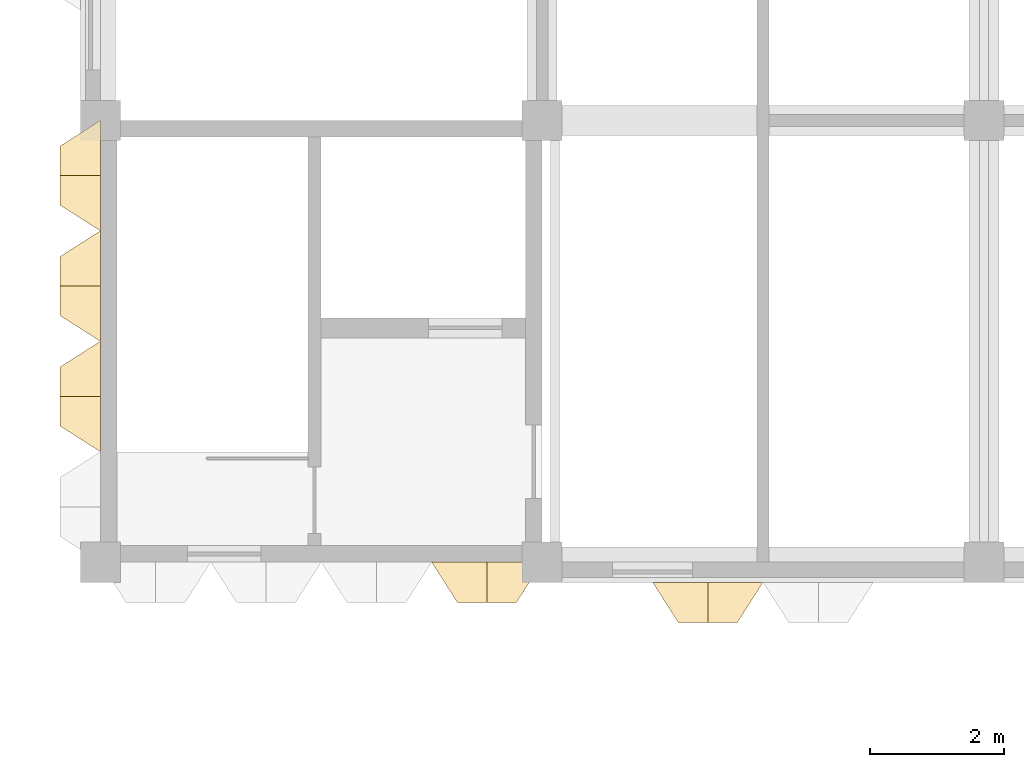
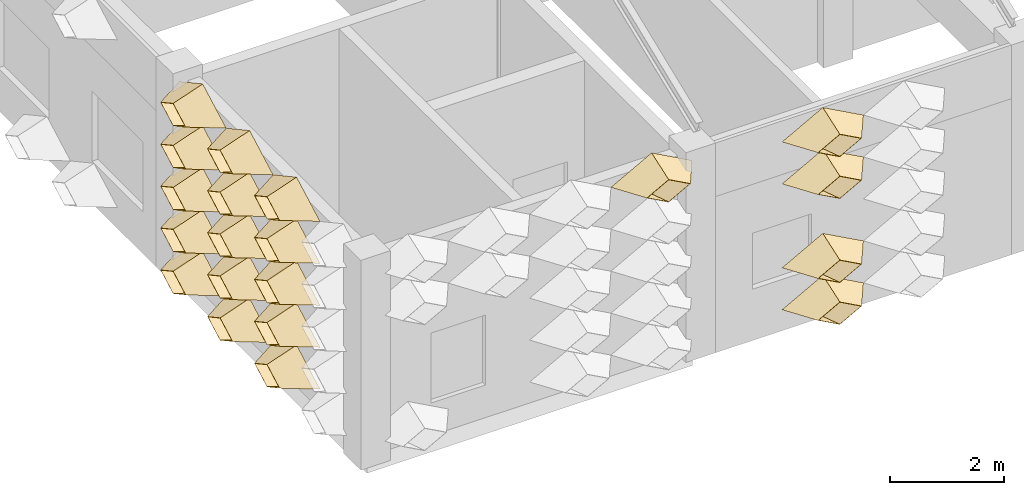
# One storey, part 70 of 102: 20 coverings.
"""IFC4 building model written with IfcOpenShell, lengths in metres."""

import ifcopenshell
import ifcopenshell.guid

model = None  # the IFC model being written
_history = None  # IfcOwnerHistory: only IFC2X3 demands one
_inside = {}  # id of a spatial element -> (the spatial element, [elements in it])
_under = {}  # id of a project, library or spatial element -> (it, [spatial elements below it])
_declared = {}  # id of a project -> (the project, [libraries it declares])
_typed = {}  # id of a type object -> (the type object, [elements of that type])
_made_of = {}  # id of a material, layer set ... -> (it, [elements and type objects made of it])


def new_model(schema):
    """Start an empty IFC model of exactly this schema.

    Asked for "IFC4X3", IfcOpenShell would pick the latest addendum, in which some entities
    have other attributes; the version numbers below select the first issue.
    IFC2X3 requires an IfcOwnerHistory on every rooted entity: one is made here for all.
    """
    global model, _history
    if schema == "IFC4X3":
        model = ifcopenshell.file(schema_version=(4, 3, 0, 0))
    else:
        model = ifcopenshell.file(schema=schema)
    _inside.clear()
    _under.clear()
    _declared.clear()
    _typed.clear()
    _made_of.clear()
    _history = None
    if model.schema == "IFC2X3":
        org = make("IfcOrganization", Name="unknown")
        user = make(
            "IfcPersonAndOrganization",
            ThePerson=make("IfcPerson", FamilyName="unknown"),
            TheOrganization=org,
        )
        app = make(
            "IfcApplication",
            ApplicationDeveloper=org,
            Version="unknown",
            ApplicationFullName="unknown",
            ApplicationIdentifier="unknown",
        )
        _history = make(
            "IfcOwnerHistory",
            OwningUser=user,
            OwningApplication=app,
            ChangeAction="ADDED",
            CreationDate=0,
        )
    return model


def make(cls, **values):
    """One entity of the class cls with the attributes given. An attribute that is None is left unset."""
    return model.create_entity(
        cls, **{name: value for name, value in values.items() if value is not None}
    )


def entity(cls, *values):
    """Any entity or typed value of the class cls, its attributes in the order of the schema. None: left unset."""
    e = model.create_entity(cls)
    for i, value in enumerate(values):
        if value is not None:
            e[i] = value
    return e


def rooted(cls, **values):
    """An entity with a GlobalId (a new one), such as an element, a storey or a relation."""
    return make(cls, GlobalId=ifcopenshell.guid.new(), OwnerHistory=_history, **values)


def si_unit(unit_type, name, prefix=None):
    """IfcSIUnit, for example si_unit("LENGTHUNIT", "METRE", prefix="MILLI")."""
    return make("IfcSIUnit", UnitType=unit_type, Prefix=prefix, Name=name)


def assignment(units):
    """IfcUnitAssignment: the units of a project."""
    return None if units is None else make("IfcUnitAssignment", Units=units)


def point(xyz):
    """IfcCartesianPoint."""
    return None if xyz is None else make("IfcCartesianPoint", Coordinates=xyz)


def direction(xyz):
    """IfcDirection."""
    return None if xyz is None else make("IfcDirection", DirectionRatios=xyz)


def frame(location, z_axis=None, x_axis=None):
    """IfcAxis2Placement3D, a coordinate frame: its origin and axes. An axis left out is left unset."""
    return make(
        "IfcAxis2Placement3D",
        Location=point(location),
        Axis=direction(z_axis),
        RefDirection=direction(x_axis),
    )


def origin():
    """The frame at (0, 0, 0) with its axes left unset."""
    return frame((0.0, 0.0, 0.0))


def place(relative_to, where):
    """IfcLocalPlacement: puts the frame where relative to a parent placement (None: the world)."""
    return make(
        "IfcLocalPlacement", PlacementRelTo=relative_to, RelativePlacement=where
    )


def context(
    kind, dimensions, precision=None, world=None, true_north=None, identifier=None
):
    """IfcGeometricRepresentationContext, for example the 3D "Model" context."""
    return make(
        "IfcGeometricRepresentationContext",
        ContextIdentifier=identifier,
        ContextType=kind,
        CoordinateSpaceDimension=dimensions,
        Precision=precision,
        WorldCoordinateSystem=world,
        TrueNorth=true_north,
    )


def subcontext(parent, identifier, kind, view, scale=None):
    """IfcGeometricRepresentationSubContext, for example "Body" below "Model"."""
    return make(
        "IfcGeometricRepresentationSubContext",
        ContextIdentifier=identifier,
        ContextType=kind,
        ParentContext=parent,
        TargetScale=scale,
        TargetView=view,
    )


def project(units=None, contexts=None):
    """IfcProject with its units and contexts."""
    return rooted(
        "IfcProject",
        Name="project",
        RepresentationContexts=contexts,
        UnitsInContext=assignment(units),
    )


def spatial(cls, under=None, at=None, **own):
    """A site, building, storey or space (cls), placed at a placement, below another one or the project."""
    s = rooted(cls, ObjectPlacement=at, **own)
    if under is not None:
        _under.setdefault(under.id(), (under, []))[1].append(s)
    return s


def shape(context_of_items, identifier, shape_type, items):
    """IfcShapeRepresentation: the items that make up one representation, for example the "Body"."""
    return make(
        "IfcShapeRepresentation",
        ContextOfItems=context_of_items,
        RepresentationIdentifier=identifier,
        RepresentationType=shape_type,
        Items=items,
    )


def material(Name=None, Category=None):
    """IfcMaterial."""
    return make("IfcMaterial", Name=Name, Category=Category)


def layer(
    of_material, thickness, ventilated=None, Name=None, Category=None, Priority=None
):
    """IfcMaterialLayer: one layer of a wall or slab, of a material (None: an air gap)."""
    return make(
        "IfcMaterialLayer",
        Material=of_material,
        LayerThickness=thickness,
        IsVentilated=ventilated,
        Name=Name,
        Category=Category,
        Priority=Priority,
    )


def layer_set(layers, Name=None):
    """IfcMaterialLayerSet."""
    return make("IfcMaterialLayerSet", MaterialLayers=layers, LayerSetName=Name)


def made_of(thing, what):
    """Note that an element or type object is made of a material, layer set ...; save() writes the relation."""
    if what is not None:
        _made_of.setdefault(what.id(), (what, []))[1].append(thing)
    return thing


def type_object(cls, material=None, **own):
    """A type object (cls), such as IfcWallType, which elements share."""
    return made_of(rooted(cls, **own), material)


def element(
    cls,
    number,
    at=None,
    inside=None,
    cuts=None,
    type_object=None,
    material=None,
    context=None,
    identifier="Body",
    shape_type=None,
    held_by="IfcProductDefinitionShape",
    body=None,
    shapes=None,
    **own,
):
    """One element of the class cls, such as IfcWall. Its Tag is "e" and its number.

    at: its placement. inside: the storey or other place that contains it. cuts: it is an
    opening in that element (IfcRelVoidsElement). A single representation is given by context,
    identifier, shape_type and body (its items); several are given by shapes. held_by: the class
    of the entity that holds the representations. save() writes the other relations.
    """
    e = rooted(cls, Tag="e%d" % number, ObjectPlacement=at, **own)
    if body is not None:
        shapes = [shape(context, identifier, shape_type, body)]
    if shapes is not None:
        e.Representation = make(held_by, Representations=shapes)
    if inside is not None:
        _inside.setdefault(inside.id(), (inside, []))[1].append(e)
    if cuts is not None:
        rooted(
            "IfcRelVoidsElement", RelatingBuildingElement=cuts, RelatedOpeningElement=e
        )
    if type_object is not None:
        _typed.setdefault(type_object.id(), (type_object, []))[1].append(e)
    return made_of(e, material)


def aggregate(whole, parts):
    """IfcRelAggregates: a whole, such as a stair, and the parts it consists of."""
    return rooted("IfcRelAggregates", RelatingObject=whole, RelatedObjects=parts)


def save(model, path):
    """Write the relations noted so far, then the file.

    IfcRelAggregates (storeys below a building ...), IfcRelContainedInSpatialStructure (elements
    in a storey), IfcRelDefinesByType, IfcRelAssociatesMaterial and IfcRelDeclares: one each for
    every whole, place, type object, material and project.
    """
    for whole, parts in _under.values():
        aggregate(whole, parts)
    for where, things in _inside.values():
        rooted(
            "IfcRelContainedInSpatialStructure",
            RelatedElements=things,
            RelatingStructure=where,
        )
    for kind, things in _typed.values():
        rooted("IfcRelDefinesByType", RelatedObjects=things, RelatingType=kind)
    for what, things in _made_of.values():
        rooted("IfcRelAssociatesMaterial", RelatedObjects=things, RelatingMaterial=what)
    for by, libraries in _declared.values():
        rooted("IfcRelDeclares", RelatingContext=by, RelatedDefinitions=libraries)
    model.write(path)


model = new_model("IFC4")

# Units and contexts
model_context = context("Model", 3, precision=1e-05, world=origin(), true_north=direction((0.0, 1.0)))
body_context = subcontext(model_context, "Body", "Model", "MODEL_VIEW")
ifc_project = project(units=[si_unit("LENGTHUNIT", "METRE"), si_unit("AREAUNIT", "SQUARE_METRE"), si_unit("VOLUMEUNIT", "CUBIC_METRE"), si_unit("PLANEANGLEUNIT", "RADIAN"), si_unit("MASSUNIT", "GRAM", prefix="KILO")], contexts=[model_context])

# Site, building, storey
site_placement = place(None, origin())
site = spatial("IfcSite", under=ifc_project, at=site_placement, CompositionType="ELEMENT")
building_placement = place(site_placement, origin())
building = spatial("IfcBuilding", under=site, at=building_placement, Name="Lantern Court Research Institute", CompositionType="ELEMENT")
storey_placement = place(building_placement, frame((0.0, 0.0, 9.89990234375)))
storey = spatial("IfcBuildingStorey", under=building, at=storey_placement, Name="L02", CompositionType="ELEMENT", Elevation=9.89990234375)

# Coverings
ifc_material = material(Name="Anodised aluminium", Category="aluminium")
ifc_layer = layer(ifc_material, 0.01611328125)
ifc_layer_set = layer_set([ifc_layer], Name="Anodised aluminium")
covering_type = type_object("IfcCoveringType", Name="Fin cassette 1650 x 900 x 600 aluminium", PredefinedType="CLADDING", material=ifc_layer_set)
covering_1_placement = place(storey_placement, frame((5.77490234375, 49.5, 4.050048828125), z_axis=(0.0, -1.0, 0.0), x_axis=(1.0, 0.0, 0.0)))
cartesian_point_1 = entity("IfcCartesianPoint", [0.824951171875, 0.0])
cartesian_point_2 = entity("IfcCartesianPoint", [0.79150390625, 0.0])
cartesian_point_3 = entity("IfcCartesianPoint", [0.44189453125, 0.0])
cartesian_point_4 = entity("IfcCartesianPoint", [0.43359375, 0.0])
element("IfcCovering", 1, at=covering_1_placement, inside=storey, type_object=covering_type, Name="Fin cassette V3S-L02 5.4", PredefinedType="CLADDING", context=body_context, shape_type="SweptSolid", body=[
    entity("IfcExtrudedAreaSolidTapered", entity("IfcArbitraryProfileDefWithVoids", "AREA", None, entity("IfcPolyline", [cartesian_point_1, entity("IfcCartesianPoint", [0.0, 0.449951171875]), entity("IfcCartesianPoint", [-0.824951171875, 0.0]), entity("IfcCartesianPoint", [0.0, -0.449951171875]), cartesian_point_1]), [entity("IfcPolyline", [cartesian_point_2, entity("IfcCartesianPoint", [0.0, 0.431884765625]), entity("IfcCartesianPoint", [-0.79150390625, 0.0]), entity("IfcCartesianPoint", [0.0, -0.431884765625]), cartesian_point_2])]), entity("IfcAxis2Placement3D", entity("IfcCartesianPoint", [0.0, 0.0, 0.0])), entity("IfcDirection", [0.0, 0.0, 1.0]), 0.60009765625, entity("IfcArbitraryProfileDefWithVoids", "AREA", None, entity("IfcPolyline", [cartesian_point_3, entity("IfcCartesianPoint", [0.0, 0.240966796875]), entity("IfcCartesianPoint", [-0.44189453125, 0.0]), entity("IfcCartesianPoint", [0.0, -0.240966796875]), cartesian_point_3]), [entity("IfcPolyline", [cartesian_point_4, entity("IfcCartesianPoint", [0.0, 0.236572265625]), entity("IfcCartesianPoint", [-0.43359375, 0.0]), entity("IfcCartesianPoint", [0.0, -0.236572265625]), cartesian_point_4])])),
])
covering_2_placement = place(storey_placement, frame((9.074951171875, 49.199951171875, 0.4501953125), z_axis=(0.0, -1.0, 0.0), x_axis=(1.0, 0.0, 0.0)))
cartesian_point_5 = entity("IfcCartesianPoint", [0.824951171875, 0.0])
cartesian_point_6 = entity("IfcCartesianPoint", [0.79150390625, 0.0])
cartesian_point_7 = entity("IfcCartesianPoint", [0.44189453125, 0.0])
cartesian_point_8 = entity("IfcCartesianPoint", [0.43359375, 0.0])
element("IfcCovering", 2, at=covering_2_placement, inside=storey, type_object=covering_type, Name="Fin cassette V3S-L02 1.6", PredefinedType="CLADDING", context=body_context, shape_type="SweptSolid", body=[
    entity("IfcExtrudedAreaSolidTapered", entity("IfcArbitraryProfileDefWithVoids", "AREA", None, entity("IfcPolyline", [cartesian_point_5, entity("IfcCartesianPoint", [0.0, 0.449951171875]), entity("IfcCartesianPoint", [-0.824951171875, 0.0]), entity("IfcCartesianPoint", [0.0, -0.449951171875]), cartesian_point_5]), [entity("IfcPolyline", [cartesian_point_6, entity("IfcCartesianPoint", [0.0, 0.431884765625]), entity("IfcCartesianPoint", [-0.79150390625, 0.0]), entity("IfcCartesianPoint", [0.0, -0.431884765625]), cartesian_point_6])]), entity("IfcAxis2Placement3D", entity("IfcCartesianPoint", [0.0, 0.0, 0.0])), entity("IfcDirection", [0.0, 0.0, 1.0]), 0.60009765625, entity("IfcArbitraryProfileDefWithVoids", "AREA", None, entity("IfcPolyline", [cartesian_point_7, entity("IfcCartesianPoint", [0.0, 0.240966796875]), entity("IfcCartesianPoint", [-0.44189453125, 0.0]), entity("IfcCartesianPoint", [0.0, -0.240966796875]), cartesian_point_7]), [entity("IfcPolyline", [cartesian_point_8, entity("IfcCartesianPoint", [0.0, 0.236572265625]), entity("IfcCartesianPoint", [-0.43359375, 0.0]), entity("IfcCartesianPoint", [0.0, -0.236572265625]), cartesian_point_8])])),
])
covering_3_placement = place(storey_placement, frame((9.074951171875, 49.199951171875, 1.35009765625), z_axis=(0.0, -1.0, 0.0), x_axis=(1.0, 0.0, 0.0)))
cartesian_point_9 = entity("IfcCartesianPoint", [0.824951171875, 0.0])
cartesian_point_10 = entity("IfcCartesianPoint", [0.79150390625, 0.0])
cartesian_point_11 = entity("IfcCartesianPoint", [0.44189453125, 0.0])
cartesian_point_12 = entity("IfcCartesianPoint", [0.43359375, 0.0])
element("IfcCovering", 3, at=covering_3_placement, inside=storey, type_object=covering_type, Name="Fin cassette V3S-L02 2.6", PredefinedType="CLADDING", context=body_context, shape_type="SweptSolid", body=[
    entity("IfcExtrudedAreaSolidTapered", entity("IfcArbitraryProfileDefWithVoids", "AREA", None, entity("IfcPolyline", [cartesian_point_9, entity("IfcCartesianPoint", [0.0, 0.449951171875]), entity("IfcCartesianPoint", [-0.824951171875, 0.0]), entity("IfcCartesianPoint", [0.0, -0.449951171875]), cartesian_point_9]), [entity("IfcPolyline", [cartesian_point_10, entity("IfcCartesianPoint", [0.0, 0.431884765625]), entity("IfcCartesianPoint", [-0.79150390625, 0.0]), entity("IfcCartesianPoint", [0.0, -0.431884765625]), cartesian_point_10])]), entity("IfcAxis2Placement3D", entity("IfcCartesianPoint", [0.0, 0.0, 0.0])), entity("IfcDirection", [0.0, 0.0, 1.0]), 0.60009765625, entity("IfcArbitraryProfileDefWithVoids", "AREA", None, entity("IfcPolyline", [cartesian_point_11, entity("IfcCartesianPoint", [0.0, 0.240966796875]), entity("IfcCartesianPoint", [-0.44189453125, 0.0]), entity("IfcCartesianPoint", [0.0, -0.240966796875]), cartesian_point_11]), [entity("IfcPolyline", [cartesian_point_12, entity("IfcCartesianPoint", [0.0, 0.236572265625]), entity("IfcCartesianPoint", [-0.43359375, 0.0]), entity("IfcCartesianPoint", [0.0, -0.236572265625]), cartesian_point_12])])),
])
covering_4_placement = place(storey_placement, frame((9.074951171875, 49.199951171875, 3.150146484375), z_axis=(0.0, -1.0, 0.0), x_axis=(1.0, 0.0, 0.0)))
cartesian_point_13 = entity("IfcCartesianPoint", [0.824951171875, 0.0])
cartesian_point_14 = entity("IfcCartesianPoint", [0.79150390625, 0.0])
cartesian_point_15 = entity("IfcCartesianPoint", [0.44189453125, 0.0])
cartesian_point_16 = entity("IfcCartesianPoint", [0.43359375, 0.0])
element("IfcCovering", 4, at=covering_4_placement, inside=storey, type_object=covering_type, Name="Fin cassette V3S-L02 4.6", PredefinedType="CLADDING", context=body_context, shape_type="SweptSolid", body=[
    entity("IfcExtrudedAreaSolidTapered", entity("IfcArbitraryProfileDefWithVoids", "AREA", None, entity("IfcPolyline", [cartesian_point_13, entity("IfcCartesianPoint", [0.0, 0.449951171875]), entity("IfcCartesianPoint", [-0.824951171875, 0.0]), entity("IfcCartesianPoint", [0.0, -0.449951171875]), cartesian_point_13]), [entity("IfcPolyline", [cartesian_point_14, entity("IfcCartesianPoint", [0.0, 0.431884765625]), entity("IfcCartesianPoint", [-0.79150390625, 0.0]), entity("IfcCartesianPoint", [0.0, -0.431884765625]), cartesian_point_14])]), entity("IfcAxis2Placement3D", entity("IfcCartesianPoint", [0.0, 0.0, 0.0])), entity("IfcDirection", [0.0, 0.0, 1.0]), 0.60009765625, entity("IfcArbitraryProfileDefWithVoids", "AREA", None, entity("IfcPolyline", [cartesian_point_15, entity("IfcCartesianPoint", [0.0, 0.240966796875]), entity("IfcCartesianPoint", [-0.44189453125, 0.0]), entity("IfcCartesianPoint", [0.0, -0.240966796875]), cartesian_point_15]), [entity("IfcPolyline", [cartesian_point_16, entity("IfcCartesianPoint", [0.0, 0.236572265625]), entity("IfcCartesianPoint", [-0.43359375, 0.0]), entity("IfcCartesianPoint", [0.0, -0.236572265625]), cartesian_point_16])])),
])
covering_5_placement = place(storey_placement, frame((9.074951171875, 49.199951171875, 4.050048828125), z_axis=(0.0, -1.0, 0.0), x_axis=(1.0, 0.0, 0.0)))
cartesian_point_17 = entity("IfcCartesianPoint", [0.824951171875, 0.0])
cartesian_point_18 = entity("IfcCartesianPoint", [0.79150390625, 0.0])
cartesian_point_19 = entity("IfcCartesianPoint", [0.44189453125, 0.0])
cartesian_point_20 = entity("IfcCartesianPoint", [0.43359375, 0.0])
element("IfcCovering", 5, at=covering_5_placement, inside=storey, type_object=covering_type, Name="Fin cassette V3S-L02 5.6", PredefinedType="CLADDING", context=body_context, shape_type="SweptSolid", body=[
    entity("IfcExtrudedAreaSolidTapered", entity("IfcArbitraryProfileDefWithVoids", "AREA", None, entity("IfcPolyline", [cartesian_point_17, entity("IfcCartesianPoint", [0.0, 0.449951171875]), entity("IfcCartesianPoint", [-0.824951171875, 0.0]), entity("IfcCartesianPoint", [0.0, -0.449951171875]), cartesian_point_17]), [entity("IfcPolyline", [cartesian_point_18, entity("IfcCartesianPoint", [0.0, 0.431884765625]), entity("IfcCartesianPoint", [-0.79150390625, 0.0]), entity("IfcCartesianPoint", [0.0, -0.431884765625]), cartesian_point_18])]), entity("IfcAxis2Placement3D", entity("IfcCartesianPoint", [0.0, 0.0, 0.0])), entity("IfcDirection", [0.0, 0.0, 1.0]), 0.60009765625, entity("IfcArbitraryProfileDefWithVoids", "AREA", None, entity("IfcPolyline", [cartesian_point_19, entity("IfcCartesianPoint", [0.0, 0.240966796875]), entity("IfcCartesianPoint", [-0.44189453125, 0.0]), entity("IfcCartesianPoint", [0.0, -0.240966796875]), cartesian_point_19]), [entity("IfcPolyline", [cartesian_point_20, entity("IfcCartesianPoint", [0.0, 0.236572265625]), entity("IfcCartesianPoint", [-0.43359375, 0.0]), entity("IfcCartesianPoint", [0.0, -0.236572265625]), cartesian_point_20])])),
])
covering_6_placement = place(storey_placement, frame((0.0, 51.97509765625, 0.4501953125), z_axis=(-1.0, 0.0, 0.0), x_axis=(0.0, -1.0, 0.0)))
cartesian_point_21 = entity("IfcCartesianPoint", [0.824951171875, 0.0])
cartesian_point_22 = entity("IfcCartesianPoint", [0.79150390625, 0.0])
cartesian_point_23 = entity("IfcCartesianPoint", [0.44189453125, 0.0])
cartesian_point_24 = entity("IfcCartesianPoint", [0.43359375, 0.0])
element("IfcCovering", 6, at=covering_6_placement, inside=storey, type_object=covering_type, Name="Fin cassette V3W-L02 1.32", PredefinedType="CLADDING", context=body_context, shape_type="SweptSolid", body=[
    entity("IfcExtrudedAreaSolidTapered", entity("IfcArbitraryProfileDefWithVoids", "AREA", None, entity("IfcPolyline", [cartesian_point_21, entity("IfcCartesianPoint", [0.0, 0.449951171875]), entity("IfcCartesianPoint", [-0.824951171875, 0.0]), entity("IfcCartesianPoint", [0.0, -0.449951171875]), cartesian_point_21]), [entity("IfcPolyline", [cartesian_point_22, entity("IfcCartesianPoint", [0.0, 0.431884765625]), entity("IfcCartesianPoint", [-0.79150390625, 0.0]), entity("IfcCartesianPoint", [0.0, -0.431884765625]), cartesian_point_22])]), entity("IfcAxis2Placement3D", entity("IfcCartesianPoint", [0.0, 0.0, 0.0])), entity("IfcDirection", [0.0, 0.0, 1.0]), 0.60009765625, entity("IfcArbitraryProfileDefWithVoids", "AREA", None, entity("IfcPolyline", [cartesian_point_23, entity("IfcCartesianPoint", [0.0, 0.240966796875]), entity("IfcCartesianPoint", [-0.44189453125, 0.0]), entity("IfcCartesianPoint", [0.0, -0.240966796875]), cartesian_point_23]), [entity("IfcPolyline", [cartesian_point_24, entity("IfcCartesianPoint", [0.0, 0.236572265625]), entity("IfcCartesianPoint", [-0.43359375, 0.0]), entity("IfcCartesianPoint", [0.0, -0.236572265625]), cartesian_point_24])])),
])
covering_7_placement = place(storey_placement, frame((0.0, 53.625, 0.4501953125), z_axis=(-1.0, 0.0, 0.0), x_axis=(0.0, -1.0, 0.0)))
cartesian_point_25 = entity("IfcCartesianPoint", [0.824951171875, 0.0])
cartesian_point_26 = entity("IfcCartesianPoint", [0.79150390625, 0.0])
cartesian_point_27 = entity("IfcCartesianPoint", [0.44189453125, 0.0])
cartesian_point_28 = entity("IfcCartesianPoint", [0.43359375, 0.0])
element("IfcCovering", 7, at=covering_7_placement, inside=storey, type_object=covering_type, Name="Fin cassette V3W-L02 1.33", PredefinedType="CLADDING", context=body_context, shape_type="SweptSolid", body=[
    entity("IfcExtrudedAreaSolidTapered", entity("IfcArbitraryProfileDefWithVoids", "AREA", None, entity("IfcPolyline", [cartesian_point_25, entity("IfcCartesianPoint", [0.0, 0.449951171875]), entity("IfcCartesianPoint", [-0.824951171875, 0.0]), entity("IfcCartesianPoint", [0.0, -0.449951171875]), cartesian_point_25]), [entity("IfcPolyline", [cartesian_point_26, entity("IfcCartesianPoint", [0.0, 0.431884765625]), entity("IfcCartesianPoint", [-0.79150390625, 0.0]), entity("IfcCartesianPoint", [0.0, -0.431884765625]), cartesian_point_26])]), entity("IfcAxis2Placement3D", entity("IfcCartesianPoint", [0.0, 0.0, 0.0])), entity("IfcDirection", [0.0, 0.0, 1.0]), 0.60009765625, entity("IfcArbitraryProfileDefWithVoids", "AREA", None, entity("IfcPolyline", [cartesian_point_27, entity("IfcCartesianPoint", [0.0, 0.240966796875]), entity("IfcCartesianPoint", [-0.44189453125, 0.0]), entity("IfcCartesianPoint", [0.0, -0.240966796875]), cartesian_point_27]), [entity("IfcPolyline", [cartesian_point_28, entity("IfcCartesianPoint", [0.0, 0.236572265625]), entity("IfcCartesianPoint", [-0.43359375, 0.0]), entity("IfcCartesianPoint", [0.0, -0.236572265625]), cartesian_point_28])])),
])
covering_8_placement = place(storey_placement, frame((0.0, 55.27490234375, 0.4501953125), z_axis=(-1.0, 0.0, 0.0), x_axis=(0.0, -1.0, 0.0)))
cartesian_point_29 = entity("IfcCartesianPoint", [0.824951171875, 0.0])
cartesian_point_30 = entity("IfcCartesianPoint", [0.79150390625, 0.0])
cartesian_point_31 = entity("IfcCartesianPoint", [0.44189453125, 0.0])
cartesian_point_32 = entity("IfcCartesianPoint", [0.43359375, 0.0])
element("IfcCovering", 8, at=covering_8_placement, inside=storey, type_object=covering_type, Name="Fin cassette V3W-L02 1.34", PredefinedType="CLADDING", context=body_context, shape_type="SweptSolid", body=[
    entity("IfcExtrudedAreaSolidTapered", entity("IfcArbitraryProfileDefWithVoids", "AREA", None, entity("IfcPolyline", [cartesian_point_29, entity("IfcCartesianPoint", [0.0, 0.449951171875]), entity("IfcCartesianPoint", [-0.824951171875, 0.0]), entity("IfcCartesianPoint", [0.0, -0.449951171875]), cartesian_point_29]), [entity("IfcPolyline", [cartesian_point_30, entity("IfcCartesianPoint", [0.0, 0.431884765625]), entity("IfcCartesianPoint", [-0.79150390625, 0.0]), entity("IfcCartesianPoint", [0.0, -0.431884765625]), cartesian_point_30])]), entity("IfcAxis2Placement3D", entity("IfcCartesianPoint", [0.0, 0.0, 0.0])), entity("IfcDirection", [0.0, 0.0, 1.0]), 0.60009765625, entity("IfcArbitraryProfileDefWithVoids", "AREA", None, entity("IfcPolyline", [cartesian_point_31, entity("IfcCartesianPoint", [0.0, 0.240966796875]), entity("IfcCartesianPoint", [-0.44189453125, 0.0]), entity("IfcCartesianPoint", [0.0, -0.240966796875]), cartesian_point_31]), [entity("IfcPolyline", [cartesian_point_32, entity("IfcCartesianPoint", [0.0, 0.236572265625]), entity("IfcCartesianPoint", [-0.43359375, 0.0]), entity("IfcCartesianPoint", [0.0, -0.236572265625]), cartesian_point_32])])),
])
covering_9_placement = place(storey_placement, frame((0.0, 51.97509765625, 1.35009765625), z_axis=(-1.0, 0.0, 0.0), x_axis=(0.0, -1.0, 0.0)))
cartesian_point_33 = entity("IfcCartesianPoint", [0.824951171875, 0.0])
cartesian_point_34 = entity("IfcCartesianPoint", [0.79150390625, 0.0])
cartesian_point_35 = entity("IfcCartesianPoint", [0.44189453125, 0.0])
cartesian_point_36 = entity("IfcCartesianPoint", [0.43359375, 0.0])
element("IfcCovering", 9, at=covering_9_placement, inside=storey, type_object=covering_type, Name="Fin cassette V3W-L02 2.32", PredefinedType="CLADDING", context=body_context, shape_type="SweptSolid", body=[
    entity("IfcExtrudedAreaSolidTapered", entity("IfcArbitraryProfileDefWithVoids", "AREA", None, entity("IfcPolyline", [cartesian_point_33, entity("IfcCartesianPoint", [0.0, 0.449951171875]), entity("IfcCartesianPoint", [-0.824951171875, 0.0]), entity("IfcCartesianPoint", [0.0, -0.449951171875]), cartesian_point_33]), [entity("IfcPolyline", [cartesian_point_34, entity("IfcCartesianPoint", [0.0, 0.431884765625]), entity("IfcCartesianPoint", [-0.79150390625, 0.0]), entity("IfcCartesianPoint", [0.0, -0.431884765625]), cartesian_point_34])]), entity("IfcAxis2Placement3D", entity("IfcCartesianPoint", [0.0, 0.0, 0.0])), entity("IfcDirection", [0.0, 0.0, 1.0]), 0.60009765625, entity("IfcArbitraryProfileDefWithVoids", "AREA", None, entity("IfcPolyline", [cartesian_point_35, entity("IfcCartesianPoint", [0.0, 0.240966796875]), entity("IfcCartesianPoint", [-0.44189453125, 0.0]), entity("IfcCartesianPoint", [0.0, -0.240966796875]), cartesian_point_35]), [entity("IfcPolyline", [cartesian_point_36, entity("IfcCartesianPoint", [0.0, 0.236572265625]), entity("IfcCartesianPoint", [-0.43359375, 0.0]), entity("IfcCartesianPoint", [0.0, -0.236572265625]), cartesian_point_36])])),
])
covering_10_placement = place(storey_placement, frame((0.0, 53.625, 1.35009765625), z_axis=(-1.0, 0.0, 0.0), x_axis=(0.0, -1.0, 0.0)))
cartesian_point_37 = entity("IfcCartesianPoint", [0.824951171875, 0.0])
cartesian_point_38 = entity("IfcCartesianPoint", [0.79150390625, 0.0])
cartesian_point_39 = entity("IfcCartesianPoint", [0.44189453125, 0.0])
cartesian_point_40 = entity("IfcCartesianPoint", [0.43359375, 0.0])
element("IfcCovering", 10, at=covering_10_placement, inside=storey, type_object=covering_type, Name="Fin cassette V3W-L02 2.33", PredefinedType="CLADDING", context=body_context, shape_type="SweptSolid", body=[
    entity("IfcExtrudedAreaSolidTapered", entity("IfcArbitraryProfileDefWithVoids", "AREA", None, entity("IfcPolyline", [cartesian_point_37, entity("IfcCartesianPoint", [0.0, 0.449951171875]), entity("IfcCartesianPoint", [-0.824951171875, 0.0]), entity("IfcCartesianPoint", [0.0, -0.449951171875]), cartesian_point_37]), [entity("IfcPolyline", [cartesian_point_38, entity("IfcCartesianPoint", [0.0, 0.431884765625]), entity("IfcCartesianPoint", [-0.79150390625, 0.0]), entity("IfcCartesianPoint", [0.0, -0.431884765625]), cartesian_point_38])]), entity("IfcAxis2Placement3D", entity("IfcCartesianPoint", [0.0, 0.0, 0.0])), entity("IfcDirection", [0.0, 0.0, 1.0]), 0.60009765625, entity("IfcArbitraryProfileDefWithVoids", "AREA", None, entity("IfcPolyline", [cartesian_point_39, entity("IfcCartesianPoint", [0.0, 0.240966796875]), entity("IfcCartesianPoint", [-0.44189453125, 0.0]), entity("IfcCartesianPoint", [0.0, -0.240966796875]), cartesian_point_39]), [entity("IfcPolyline", [cartesian_point_40, entity("IfcCartesianPoint", [0.0, 0.236572265625]), entity("IfcCartesianPoint", [-0.43359375, 0.0]), entity("IfcCartesianPoint", [0.0, -0.236572265625]), cartesian_point_40])])),
])
covering_11_placement = place(storey_placement, frame((0.0, 55.27490234375, 1.35009765625), z_axis=(-1.0, 0.0, 0.0), x_axis=(0.0, -1.0, 0.0)))
cartesian_point_41 = entity("IfcCartesianPoint", [0.824951171875, 0.0])
cartesian_point_42 = entity("IfcCartesianPoint", [0.79150390625, 0.0])
cartesian_point_43 = entity("IfcCartesianPoint", [0.44189453125, 0.0])
cartesian_point_44 = entity("IfcCartesianPoint", [0.43359375, 0.0])
element("IfcCovering", 11, at=covering_11_placement, inside=storey, type_object=covering_type, Name="Fin cassette V3W-L02 2.34", PredefinedType="CLADDING", context=body_context, shape_type="SweptSolid", body=[
    entity("IfcExtrudedAreaSolidTapered", entity("IfcArbitraryProfileDefWithVoids", "AREA", None, entity("IfcPolyline", [cartesian_point_41, entity("IfcCartesianPoint", [0.0, 0.449951171875]), entity("IfcCartesianPoint", [-0.824951171875, 0.0]), entity("IfcCartesianPoint", [0.0, -0.449951171875]), cartesian_point_41]), [entity("IfcPolyline", [cartesian_point_42, entity("IfcCartesianPoint", [0.0, 0.431884765625]), entity("IfcCartesianPoint", [-0.79150390625, 0.0]), entity("IfcCartesianPoint", [0.0, -0.431884765625]), cartesian_point_42])]), entity("IfcAxis2Placement3D", entity("IfcCartesianPoint", [0.0, 0.0, 0.0])), entity("IfcDirection", [0.0, 0.0, 1.0]), 0.60009765625, entity("IfcArbitraryProfileDefWithVoids", "AREA", None, entity("IfcPolyline", [cartesian_point_43, entity("IfcCartesianPoint", [0.0, 0.240966796875]), entity("IfcCartesianPoint", [-0.44189453125, 0.0]), entity("IfcCartesianPoint", [0.0, -0.240966796875]), cartesian_point_43]), [entity("IfcPolyline", [cartesian_point_44, entity("IfcCartesianPoint", [0.0, 0.236572265625]), entity("IfcCartesianPoint", [-0.43359375, 0.0]), entity("IfcCartesianPoint", [0.0, -0.236572265625]), cartesian_point_44])])),
])
covering_12_placement = place(storey_placement, frame((0.0, 51.97509765625, 2.25), z_axis=(-1.0, 0.0, 0.0), x_axis=(0.0, -1.0, 0.0)))
cartesian_point_45 = entity("IfcCartesianPoint", [0.824951171875, 0.0])
cartesian_point_46 = entity("IfcCartesianPoint", [0.79150390625, 0.0])
cartesian_point_47 = entity("IfcCartesianPoint", [0.44189453125, 0.0])
cartesian_point_48 = entity("IfcCartesianPoint", [0.43359375, 0.0])
element("IfcCovering", 12, at=covering_12_placement, inside=storey, type_object=covering_type, Name="Fin cassette V3W-L02 3.32", PredefinedType="CLADDING", context=body_context, shape_type="SweptSolid", body=[
    entity("IfcExtrudedAreaSolidTapered", entity("IfcArbitraryProfileDefWithVoids", "AREA", None, entity("IfcPolyline", [cartesian_point_45, entity("IfcCartesianPoint", [0.0, 0.449951171875]), entity("IfcCartesianPoint", [-0.824951171875, 0.0]), entity("IfcCartesianPoint", [0.0, -0.449951171875]), cartesian_point_45]), [entity("IfcPolyline", [cartesian_point_46, entity("IfcCartesianPoint", [0.0, 0.431884765625]), entity("IfcCartesianPoint", [-0.79150390625, 0.0]), entity("IfcCartesianPoint", [0.0, -0.431884765625]), cartesian_point_46])]), entity("IfcAxis2Placement3D", entity("IfcCartesianPoint", [0.0, 0.0, 0.0])), entity("IfcDirection", [0.0, 0.0, 1.0]), 0.60009765625, entity("IfcArbitraryProfileDefWithVoids", "AREA", None, entity("IfcPolyline", [cartesian_point_47, entity("IfcCartesianPoint", [0.0, 0.240966796875]), entity("IfcCartesianPoint", [-0.44189453125, 0.0]), entity("IfcCartesianPoint", [0.0, -0.240966796875]), cartesian_point_47]), [entity("IfcPolyline", [cartesian_point_48, entity("IfcCartesianPoint", [0.0, 0.236572265625]), entity("IfcCartesianPoint", [-0.43359375, 0.0]), entity("IfcCartesianPoint", [0.0, -0.236572265625]), cartesian_point_48])])),
])
covering_13_placement = place(storey_placement, frame((0.0, 53.625, 2.25), z_axis=(-1.0, 0.0, 0.0), x_axis=(0.0, -1.0, 0.0)))
cartesian_point_49 = entity("IfcCartesianPoint", [0.824951171875, 0.0])
cartesian_point_50 = entity("IfcCartesianPoint", [0.79150390625, 0.0])
cartesian_point_51 = entity("IfcCartesianPoint", [0.44189453125, 0.0])
cartesian_point_52 = entity("IfcCartesianPoint", [0.43359375, 0.0])
element("IfcCovering", 13, at=covering_13_placement, inside=storey, type_object=covering_type, Name="Fin cassette V3W-L02 3.33", PredefinedType="CLADDING", context=body_context, shape_type="SweptSolid", body=[
    entity("IfcExtrudedAreaSolidTapered", entity("IfcArbitraryProfileDefWithVoids", "AREA", None, entity("IfcPolyline", [cartesian_point_49, entity("IfcCartesianPoint", [0.0, 0.449951171875]), entity("IfcCartesianPoint", [-0.824951171875, 0.0]), entity("IfcCartesianPoint", [0.0, -0.449951171875]), cartesian_point_49]), [entity("IfcPolyline", [cartesian_point_50, entity("IfcCartesianPoint", [0.0, 0.431884765625]), entity("IfcCartesianPoint", [-0.79150390625, 0.0]), entity("IfcCartesianPoint", [0.0, -0.431884765625]), cartesian_point_50])]), entity("IfcAxis2Placement3D", entity("IfcCartesianPoint", [0.0, 0.0, 0.0])), entity("IfcDirection", [0.0, 0.0, 1.0]), 0.60009765625, entity("IfcArbitraryProfileDefWithVoids", "AREA", None, entity("IfcPolyline", [cartesian_point_51, entity("IfcCartesianPoint", [0.0, 0.240966796875]), entity("IfcCartesianPoint", [-0.44189453125, 0.0]), entity("IfcCartesianPoint", [0.0, -0.240966796875]), cartesian_point_51]), [entity("IfcPolyline", [cartesian_point_52, entity("IfcCartesianPoint", [0.0, 0.236572265625]), entity("IfcCartesianPoint", [-0.43359375, 0.0]), entity("IfcCartesianPoint", [0.0, -0.236572265625]), cartesian_point_52])])),
])
covering_14_placement = place(storey_placement, frame((0.0, 55.27490234375, 2.25), z_axis=(-1.0, 0.0, 0.0), x_axis=(0.0, -1.0, 0.0)))
cartesian_point_53 = entity("IfcCartesianPoint", [0.824951171875, 0.0])
cartesian_point_54 = entity("IfcCartesianPoint", [0.79150390625, 0.0])
cartesian_point_55 = entity("IfcCartesianPoint", [0.44189453125, 0.0])
cartesian_point_56 = entity("IfcCartesianPoint", [0.43359375, 0.0])
element("IfcCovering", 14, at=covering_14_placement, inside=storey, type_object=covering_type, Name="Fin cassette V3W-L02 3.34", PredefinedType="CLADDING", context=body_context, shape_type="SweptSolid", body=[
    entity("IfcExtrudedAreaSolidTapered", entity("IfcArbitraryProfileDefWithVoids", "AREA", None, entity("IfcPolyline", [cartesian_point_53, entity("IfcCartesianPoint", [0.0, 0.449951171875]), entity("IfcCartesianPoint", [-0.824951171875, 0.0]), entity("IfcCartesianPoint", [0.0, -0.449951171875]), cartesian_point_53]), [entity("IfcPolyline", [cartesian_point_54, entity("IfcCartesianPoint", [0.0, 0.431884765625]), entity("IfcCartesianPoint", [-0.79150390625, 0.0]), entity("IfcCartesianPoint", [0.0, -0.431884765625]), cartesian_point_54])]), entity("IfcAxis2Placement3D", entity("IfcCartesianPoint", [0.0, 0.0, 0.0])), entity("IfcDirection", [0.0, 0.0, 1.0]), 0.60009765625, entity("IfcArbitraryProfileDefWithVoids", "AREA", None, entity("IfcPolyline", [cartesian_point_55, entity("IfcCartesianPoint", [0.0, 0.240966796875]), entity("IfcCartesianPoint", [-0.44189453125, 0.0]), entity("IfcCartesianPoint", [0.0, -0.240966796875]), cartesian_point_55]), [entity("IfcPolyline", [cartesian_point_56, entity("IfcCartesianPoint", [0.0, 0.236572265625]), entity("IfcCartesianPoint", [-0.43359375, 0.0]), entity("IfcCartesianPoint", [0.0, -0.236572265625]), cartesian_point_56])])),
])
covering_15_placement = place(storey_placement, frame((0.0, 51.97509765625, 3.150146484375), z_axis=(-1.0, 0.0, 0.0), x_axis=(0.0, -1.0, 0.0)))
cartesian_point_57 = entity("IfcCartesianPoint", [0.824951171875, 0.0])
cartesian_point_58 = entity("IfcCartesianPoint", [0.79150390625, 0.0])
cartesian_point_59 = entity("IfcCartesianPoint", [0.44189453125, 0.0])
cartesian_point_60 = entity("IfcCartesianPoint", [0.43359375, 0.0])
element("IfcCovering", 15, at=covering_15_placement, inside=storey, type_object=covering_type, Name="Fin cassette V3W-L02 4.32", PredefinedType="CLADDING", context=body_context, shape_type="SweptSolid", body=[
    entity("IfcExtrudedAreaSolidTapered", entity("IfcArbitraryProfileDefWithVoids", "AREA", None, entity("IfcPolyline", [cartesian_point_57, entity("IfcCartesianPoint", [0.0, 0.449951171875]), entity("IfcCartesianPoint", [-0.824951171875, 0.0]), entity("IfcCartesianPoint", [0.0, -0.449951171875]), cartesian_point_57]), [entity("IfcPolyline", [cartesian_point_58, entity("IfcCartesianPoint", [0.0, 0.431884765625]), entity("IfcCartesianPoint", [-0.79150390625, 0.0]), entity("IfcCartesianPoint", [0.0, -0.431884765625]), cartesian_point_58])]), entity("IfcAxis2Placement3D", entity("IfcCartesianPoint", [0.0, 0.0, 0.0])), entity("IfcDirection", [0.0, 0.0, 1.0]), 0.60009765625, entity("IfcArbitraryProfileDefWithVoids", "AREA", None, entity("IfcPolyline", [cartesian_point_59, entity("IfcCartesianPoint", [0.0, 0.240966796875]), entity("IfcCartesianPoint", [-0.44189453125, 0.0]), entity("IfcCartesianPoint", [0.0, -0.240966796875]), cartesian_point_59]), [entity("IfcPolyline", [cartesian_point_60, entity("IfcCartesianPoint", [0.0, 0.236572265625]), entity("IfcCartesianPoint", [-0.43359375, 0.0]), entity("IfcCartesianPoint", [0.0, -0.236572265625]), cartesian_point_60])])),
])
covering_16_placement = place(storey_placement, frame((0.0, 53.625, 3.150146484375), z_axis=(-1.0, 0.0, 0.0), x_axis=(0.0, -1.0, 0.0)))
cartesian_point_61 = entity("IfcCartesianPoint", [0.824951171875, 0.0])
cartesian_point_62 = entity("IfcCartesianPoint", [0.79150390625, 0.0])
cartesian_point_63 = entity("IfcCartesianPoint", [0.44189453125, 0.0])
cartesian_point_64 = entity("IfcCartesianPoint", [0.43359375, 0.0])
element("IfcCovering", 16, at=covering_16_placement, inside=storey, type_object=covering_type, Name="Fin cassette V3W-L02 4.33", PredefinedType="CLADDING", context=body_context, shape_type="SweptSolid", body=[
    entity("IfcExtrudedAreaSolidTapered", entity("IfcArbitraryProfileDefWithVoids", "AREA", None, entity("IfcPolyline", [cartesian_point_61, entity("IfcCartesianPoint", [0.0, 0.449951171875]), entity("IfcCartesianPoint", [-0.824951171875, 0.0]), entity("IfcCartesianPoint", [0.0, -0.449951171875]), cartesian_point_61]), [entity("IfcPolyline", [cartesian_point_62, entity("IfcCartesianPoint", [0.0, 0.431884765625]), entity("IfcCartesianPoint", [-0.79150390625, 0.0]), entity("IfcCartesianPoint", [0.0, -0.431884765625]), cartesian_point_62])]), entity("IfcAxis2Placement3D", entity("IfcCartesianPoint", [0.0, 0.0, 0.0])), entity("IfcDirection", [0.0, 0.0, 1.0]), 0.60009765625, entity("IfcArbitraryProfileDefWithVoids", "AREA", None, entity("IfcPolyline", [cartesian_point_63, entity("IfcCartesianPoint", [0.0, 0.240966796875]), entity("IfcCartesianPoint", [-0.44189453125, 0.0]), entity("IfcCartesianPoint", [0.0, -0.240966796875]), cartesian_point_63]), [entity("IfcPolyline", [cartesian_point_64, entity("IfcCartesianPoint", [0.0, 0.236572265625]), entity("IfcCartesianPoint", [-0.43359375, 0.0]), entity("IfcCartesianPoint", [0.0, -0.236572265625]), cartesian_point_64])])),
])
covering_17_placement = place(storey_placement, frame((0.0, 55.27490234375, 3.150146484375), z_axis=(-1.0, 0.0, 0.0), x_axis=(0.0, -1.0, 0.0)))
cartesian_point_65 = entity("IfcCartesianPoint", [0.824951171875, 0.0])
cartesian_point_66 = entity("IfcCartesianPoint", [0.79150390625, 0.0])
cartesian_point_67 = entity("IfcCartesianPoint", [0.44189453125, 0.0])
cartesian_point_68 = entity("IfcCartesianPoint", [0.43359375, 0.0])
element("IfcCovering", 17, at=covering_17_placement, inside=storey, type_object=covering_type, Name="Fin cassette V3W-L02 4.34", PredefinedType="CLADDING", context=body_context, shape_type="SweptSolid", body=[
    entity("IfcExtrudedAreaSolidTapered", entity("IfcArbitraryProfileDefWithVoids", "AREA", None, entity("IfcPolyline", [cartesian_point_65, entity("IfcCartesianPoint", [0.0, 0.449951171875]), entity("IfcCartesianPoint", [-0.824951171875, 0.0]), entity("IfcCartesianPoint", [0.0, -0.449951171875]), cartesian_point_65]), [entity("IfcPolyline", [cartesian_point_66, entity("IfcCartesianPoint", [0.0, 0.431884765625]), entity("IfcCartesianPoint", [-0.79150390625, 0.0]), entity("IfcCartesianPoint", [0.0, -0.431884765625]), cartesian_point_66])]), entity("IfcAxis2Placement3D", entity("IfcCartesianPoint", [0.0, 0.0, 0.0])), entity("IfcDirection", [0.0, 0.0, 1.0]), 0.60009765625, entity("IfcArbitraryProfileDefWithVoids", "AREA", None, entity("IfcPolyline", [cartesian_point_67, entity("IfcCartesianPoint", [0.0, 0.240966796875]), entity("IfcCartesianPoint", [-0.44189453125, 0.0]), entity("IfcCartesianPoint", [0.0, -0.240966796875]), cartesian_point_67]), [entity("IfcPolyline", [cartesian_point_68, entity("IfcCartesianPoint", [0.0, 0.236572265625]), entity("IfcCartesianPoint", [-0.43359375, 0.0]), entity("IfcCartesianPoint", [0.0, -0.236572265625]), cartesian_point_68])])),
])
covering_18_placement = place(storey_placement, frame((0.0, 51.97509765625, 4.050048828125), z_axis=(-1.0, 0.0, 0.0), x_axis=(0.0, -1.0, 0.0)))
cartesian_point_69 = entity("IfcCartesianPoint", [0.824951171875, 0.0])
cartesian_point_70 = entity("IfcCartesianPoint", [0.79150390625, 0.0])
cartesian_point_71 = entity("IfcCartesianPoint", [0.44189453125, 0.0])
cartesian_point_72 = entity("IfcCartesianPoint", [0.43359375, 0.0])
element("IfcCovering", 18, at=covering_18_placement, inside=storey, type_object=covering_type, Name="Fin cassette V3W-L02 5.32", PredefinedType="CLADDING", context=body_context, shape_type="SweptSolid", body=[
    entity("IfcExtrudedAreaSolidTapered", entity("IfcArbitraryProfileDefWithVoids", "AREA", None, entity("IfcPolyline", [cartesian_point_69, entity("IfcCartesianPoint", [0.0, 0.449951171875]), entity("IfcCartesianPoint", [-0.824951171875, 0.0]), entity("IfcCartesianPoint", [0.0, -0.449951171875]), cartesian_point_69]), [entity("IfcPolyline", [cartesian_point_70, entity("IfcCartesianPoint", [0.0, 0.431884765625]), entity("IfcCartesianPoint", [-0.79150390625, 0.0]), entity("IfcCartesianPoint", [0.0, -0.431884765625]), cartesian_point_70])]), entity("IfcAxis2Placement3D", entity("IfcCartesianPoint", [0.0, 0.0, 0.0])), entity("IfcDirection", [0.0, 0.0, 1.0]), 0.60009765625, entity("IfcArbitraryProfileDefWithVoids", "AREA", None, entity("IfcPolyline", [cartesian_point_71, entity("IfcCartesianPoint", [0.0, 0.240966796875]), entity("IfcCartesianPoint", [-0.44189453125, 0.0]), entity("IfcCartesianPoint", [0.0, -0.240966796875]), cartesian_point_71]), [entity("IfcPolyline", [cartesian_point_72, entity("IfcCartesianPoint", [0.0, 0.236572265625]), entity("IfcCartesianPoint", [-0.43359375, 0.0]), entity("IfcCartesianPoint", [0.0, -0.236572265625]), cartesian_point_72])])),
])
covering_19_placement = place(storey_placement, frame((0.0, 53.625, 4.050048828125), z_axis=(-1.0, 0.0, 0.0), x_axis=(0.0, -1.0, 0.0)))
cartesian_point_73 = entity("IfcCartesianPoint", [0.824951171875, 0.0])
cartesian_point_74 = entity("IfcCartesianPoint", [0.79150390625, 0.0])
cartesian_point_75 = entity("IfcCartesianPoint", [0.44189453125, 0.0])
cartesian_point_76 = entity("IfcCartesianPoint", [0.43359375, 0.0])
element("IfcCovering", 19, at=covering_19_placement, inside=storey, type_object=covering_type, Name="Fin cassette V3W-L02 5.33", PredefinedType="CLADDING", context=body_context, shape_type="SweptSolid", body=[
    entity("IfcExtrudedAreaSolidTapered", entity("IfcArbitraryProfileDefWithVoids", "AREA", None, entity("IfcPolyline", [cartesian_point_73, entity("IfcCartesianPoint", [0.0, 0.449951171875]), entity("IfcCartesianPoint", [-0.824951171875, 0.0]), entity("IfcCartesianPoint", [0.0, -0.449951171875]), cartesian_point_73]), [entity("IfcPolyline", [cartesian_point_74, entity("IfcCartesianPoint", [0.0, 0.431884765625]), entity("IfcCartesianPoint", [-0.79150390625, 0.0]), entity("IfcCartesianPoint", [0.0, -0.431884765625]), cartesian_point_74])]), entity("IfcAxis2Placement3D", entity("IfcCartesianPoint", [0.0, 0.0, 0.0])), entity("IfcDirection", [0.0, 0.0, 1.0]), 0.60009765625, entity("IfcArbitraryProfileDefWithVoids", "AREA", None, entity("IfcPolyline", [cartesian_point_75, entity("IfcCartesianPoint", [0.0, 0.240966796875]), entity("IfcCartesianPoint", [-0.44189453125, 0.0]), entity("IfcCartesianPoint", [0.0, -0.240966796875]), cartesian_point_75]), [entity("IfcPolyline", [cartesian_point_76, entity("IfcCartesianPoint", [0.0, 0.236572265625]), entity("IfcCartesianPoint", [-0.43359375, 0.0]), entity("IfcCartesianPoint", [0.0, -0.236572265625]), cartesian_point_76])])),
])
covering_20_placement = place(storey_placement, frame((0.0, 55.27490234375, 4.050048828125), z_axis=(-1.0, 0.0, 0.0), x_axis=(0.0, -1.0, 0.0)))
cartesian_point_77 = entity("IfcCartesianPoint", [0.824951171875, 0.0])
cartesian_point_78 = entity("IfcCartesianPoint", [0.79150390625, 0.0])
cartesian_point_79 = entity("IfcCartesianPoint", [0.44189453125, 0.0])
cartesian_point_80 = entity("IfcCartesianPoint", [0.43359375, 0.0])
element("IfcCovering", 20, at=covering_20_placement, inside=storey, type_object=covering_type, Name="Fin cassette V3W-L02 5.34", PredefinedType="CLADDING", context=body_context, shape_type="SweptSolid", body=[
    entity("IfcExtrudedAreaSolidTapered", entity("IfcArbitraryProfileDefWithVoids", "AREA", None, entity("IfcPolyline", [cartesian_point_77, entity("IfcCartesianPoint", [0.0, 0.449951171875]), entity("IfcCartesianPoint", [-0.824951171875, 0.0]), entity("IfcCartesianPoint", [0.0, -0.449951171875]), cartesian_point_77]), [entity("IfcPolyline", [cartesian_point_78, entity("IfcCartesianPoint", [0.0, 0.431884765625]), entity("IfcCartesianPoint", [-0.79150390625, 0.0]), entity("IfcCartesianPoint", [0.0, -0.431884765625]), cartesian_point_78])]), entity("IfcAxis2Placement3D", entity("IfcCartesianPoint", [0.0, 0.0, 0.0])), entity("IfcDirection", [0.0, 0.0, 1.0]), 0.60009765625, entity("IfcArbitraryProfileDefWithVoids", "AREA", None, entity("IfcPolyline", [cartesian_point_79, entity("IfcCartesianPoint", [0.0, 0.240966796875]), entity("IfcCartesianPoint", [-0.44189453125, 0.0]), entity("IfcCartesianPoint", [0.0, -0.240966796875]), cartesian_point_79]), [entity("IfcPolyline", [cartesian_point_80, entity("IfcCartesianPoint", [0.0, 0.236572265625]), entity("IfcCartesianPoint", [-0.43359375, 0.0]), entity("IfcCartesianPoint", [0.0, -0.236572265625]), cartesian_point_80])])),
])

save(model, "model.ifc")
